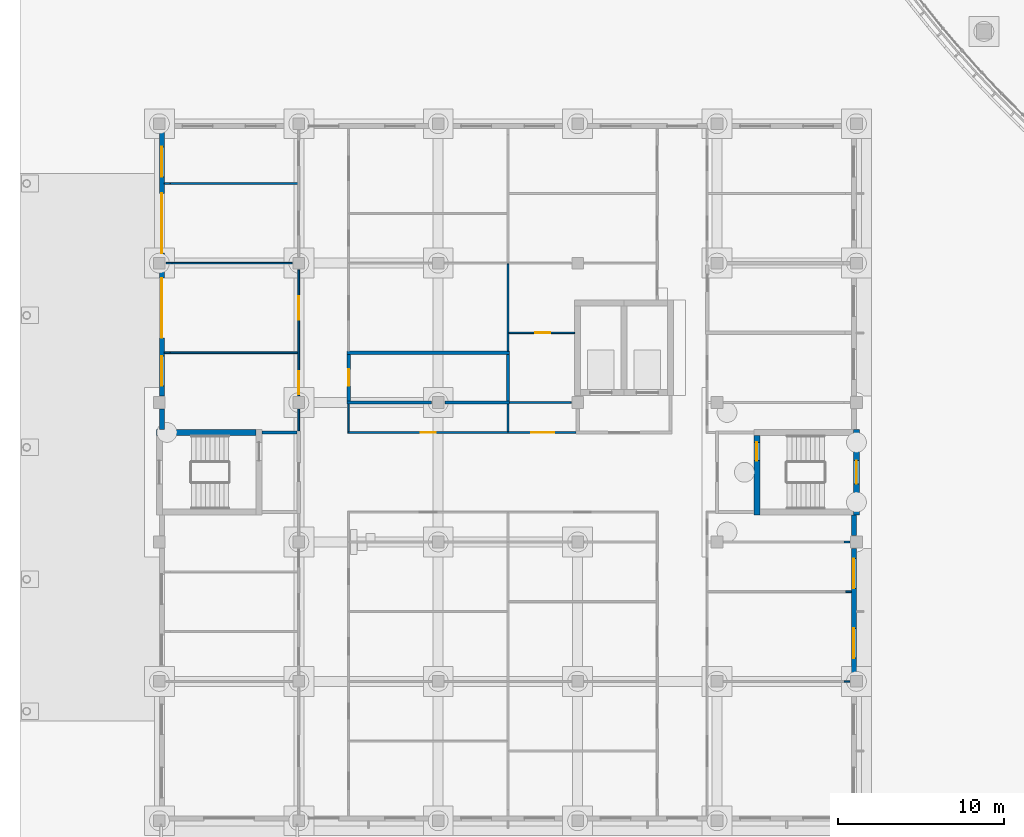
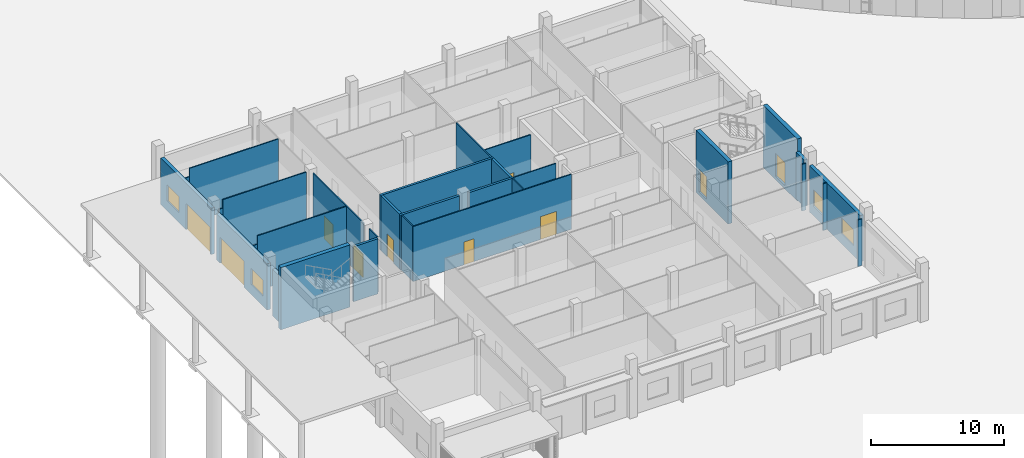
# One storey, part 56 of 146: 31 walls, 10 doors, 4 windows, 14 openings.
"""IFC4 building model written with IfcOpenShell, lengths in metres."""

from ifc_helpers import new_model, si_unit, direction, frame, frame_2d, origin, place, context, subcontext, project, spatial, rectangle, extrude, material, layer, layer_set, type_object, element, fill, save


model = new_model("IFC4")

# Units and contexts
model_context = context("Model", 3, precision=1e-05, world=origin(), true_north=direction((0.0, 1.0)))
body_context = subcontext(model_context, "Body", "Model", "MODEL_VIEW")
ifc_project = project(units=[si_unit("LENGTHUNIT", "METRE"), si_unit("AREAUNIT", "SQUARE_METRE"), si_unit("VOLUMEUNIT", "CUBIC_METRE"), si_unit("PLANEANGLEUNIT", "RADIAN"), si_unit("MASSUNIT", "GRAM", prefix="KILO")], contexts=[model_context])

# Site, building, storey
site_placement = place(None, origin())
site = spatial("IfcSite", under=ifc_project, at=site_placement, CompositionType="ELEMENT")
building_placement = place(site_placement, origin())
building = spatial("IfcBuilding", under=site, at=building_placement, Name="Bougainvillea Quay General Hospital", CompositionType="ELEMENT")
storey_placement = place(building_placement, origin())
storey = spatial("IfcBuildingStorey", under=building, at=storey_placement, Name="L00", CompositionType="ELEMENT", Elevation=0.0)

# Wall, openings, windows
ifc_material_1 = material(Name="Pale stone rainscreen cladding on insulated masonry backing, pale stone", Category="masonry")
ifc_layer_1 = layer(ifc_material_1, 0.300048828125)
ifc_layer_set_1 = layer_set([ifc_layer_1], Name="Pale stone rainscreen cladding on insulated masonry backing, pale stone")
wall_type_1 = type_object("IfcWallType", Name="External wall pale stone rainscreen 300", PredefinedType="STANDARD", material=ifc_layer_set_1)
wall_1_placement = place(storey_placement, frame((50.25, 42.39990234375, 0.0), z_axis=(0.0, 0.0, 1.0), x_axis=(0.0, 1.0, 0.0)))
wall_1 = element("IfcWall", 1, at=wall_1_placement, inside=storey, type_object=wall_type_1, Name="External wall wall/V2/L00/p0/00b", PredefinedType="STANDARD", context=body_context, shape_type="SweptSolid", body=[
    extrude(rectangle(XDim=7.60009765625, YDim=0.300048828125, at=frame_2d((3.800048828125, 0.0))), origin(), (0.0, 0.0, 1.0), 4.25),
])
opening_1_placement = place(wall_1_placement, frame((1.0, 0.0, 0.89990234375)))
opening_1 = element("IfcOpeningElement", 2, at=opening_1_placement, cuts=wall_1, Name="Opening W1", PredefinedType="OPENING", context=body_context, shape_type="SweptSolid", body=[
    extrude(rectangle(XDim=1.800048828125, YDim=1.5, at=frame_2d((0.89990234375, 0.75))), frame((0.0, 0.159912109375, 0.0), z_axis=(0.0, -1.0, 0.0), x_axis=(1.0, 0.0, 0.0)), (0.0, 0.0, 1.0), 0.320068359375),
])
opening_2_placement = place(wall_1_placement, frame((5.199951171875, 0.0, 0.89990234375)))
opening_2 = element("IfcOpeningElement", 3, at=opening_2_placement, cuts=wall_1, Name="Opening W1", PredefinedType="OPENING", context=body_context, shape_type="SweptSolid", body=[
    extrude(rectangle(XDim=1.800048828125, YDim=1.5, at=frame_2d((0.89990234375, 0.75))), frame((0.0, 0.159912109375, 0.0), z_axis=(0.0, -1.0, 0.0), x_axis=(1.0, 0.0, 0.0)), (0.0, 0.0, 1.0), 0.320068359375),
])
ifc_material_2 = material(Name="Aluminium window frame with low-e double glazed unit", Category="aluminium")
window_type = type_object("IfcWindowType", Name="Window W1 1800x1500", PartitioningType="DOUBLE_PANEL_VERTICAL", PredefinedType="WINDOW", material=ifc_material_2)
window_1_placement = place(opening_1_placement, origin())
window_1 = element("IfcWindow", 4, at=window_1_placement, inside=storey, type_object=window_type, Name="Window W1 1", OverallHeight=1.5, OverallWidth=1.800048828125, PartitioningType="SINGLE_PANEL", PredefinedType="WINDOW", context=body_context, shape_type="SweptSolid", body=[
    extrude(rectangle(XDim=1.800048828125, YDim=1.5, at=frame_2d((0.89990234375, 0.75))), frame((0.0, 0.030029296875, 0.0), z_axis=(0.0, -1.0, 0.0), x_axis=(1.0, 0.0, 0.0)), (0.0, 0.0, 1.0), 0.06005859375),
])
fill(opening_1, window_1)
window_2_placement = place(opening_2_placement, origin())
window_2 = element("IfcWindow", 5, at=window_2_placement, inside=storey, type_object=window_type, Name="Window W1 2", OverallHeight=1.5, OverallWidth=1.800048828125, PartitioningType="SINGLE_PANEL", PredefinedType="WINDOW", context=body_context, shape_type="SweptSolid", body=[
    extrude(rectangle(XDim=1.800048828125, YDim=1.5, at=frame_2d((0.89990234375, 0.75))), frame((0.0, 0.030029296875, 0.0), z_axis=(0.0, -1.0, 0.0), x_axis=(1.0, 0.0, 0.0)), (0.0, 0.0, 1.0), 0.06005859375),
])
fill(opening_2, window_2)

# Wall, openings, door, window
wall_2_placement = place(storey_placement, frame((8.550048828125, 75.199951171875, 0.0), z_axis=(0.0, 0.0, 1.0), x_axis=(0.0, -1.0, 0.0)))
wall_2 = element("IfcWall", 6, at=wall_2_placement, inside=storey, type_object=wall_type_1, Name="External wall wall/V2/L00/p0/02a", PredefinedType="STANDARD", context=body_context, shape_type="SweptSolid", body=[
    extrude(rectangle(XDim=7.599853515625, YDim=0.300048828125, at=frame_2d((3.7998046875, 0.0))), origin(), (0.0, 0.0, 1.0), 4.25),
])
opening_3_placement = place(wall_2_placement, frame((3.800048828125, 0.0, 0.0)))
opening_3 = element("IfcOpeningElement", 7, at=opening_3_placement, cuts=wall_2, Name="Opening L00.318", PredefinedType="OPENING", context=body_context, shape_type="SweptSolid", body=[
    extrude(rectangle(XDim=3.60009765625, YDim=2.39990234375, at=frame_2d((1.800048828125, 1.199951171875))), frame((0.0, 0.159912109375, 0.0), z_axis=(0.0, -1.0, 0.0), x_axis=(1.0, 0.0, 0.0)), (0.0, 0.0, 1.0), 0.320068359375),
])
opening_4_placement = place(wall_2_placement, frame((1.0, 0.0, 0.89990234375)))
opening_4 = element("IfcOpeningElement", 8, at=opening_4_placement, cuts=wall_2, Name="Opening W1", PredefinedType="OPENING", context=body_context, shape_type="SweptSolid", body=[
    extrude(rectangle(XDim=1.800048828125, YDim=1.5, at=frame_2d((0.89990234375, 0.75))), frame((0.0, 0.159912109375, 0.0), z_axis=(0.0, -1.0, 0.0), x_axis=(1.0, 0.0, 0.0)), (0.0, 0.0, 1.0), 0.320068359375),
])
ifc_material_3 = material(Name="Aluminium and toughened glass sliding door set, anodised", Category="aluminium")
door_type_1 = type_object("IfcDoorType", Name="Ambulance bay door 3600x2400", OperationType="SLIDING_TO_LEFT", PredefinedType="DOOR", material=ifc_material_3)
door_1_placement = place(opening_3_placement, frame((3.60009765625, 0.0, 0.0), z_axis=(0.0, 0.0, 1.0), x_axis=(-1.0, 0.0, 0.0)))
door_1 = element("IfcDoor", 9, at=door_1_placement, inside=storey, type_object=door_type_1, Name="Ambulance bay door 2", OperationType="SINGLE_SWING_LEFT", OverallHeight=2.39990234375, OverallWidth=3.60009765625, PredefinedType="DOOR", context=body_context, shape_type="SweptSolid", body=[
    extrude(rectangle(XDim=3.60009765625, YDim=2.39990234375, at=frame_2d((1.800048828125, 1.199951171875))), frame((0.0, 0.02490234375, 0.0), z_axis=(0.0, -1.0, 0.0), x_axis=(1.0, 0.0, 0.0)), (0.0, 0.0, 1.0), 0.050048828125),
])
fill(opening_3, door_1)
window_3_placement = place(opening_4_placement, origin())
window_3 = element("IfcWindow", 10, at=window_3_placement, inside=storey, type_object=window_type, Name="Window W1 1", OverallHeight=1.5, OverallWidth=1.800048828125, PartitioningType="SINGLE_PANEL", PredefinedType="WINDOW", context=body_context, shape_type="SweptSolid", body=[
    extrude(rectangle(XDim=1.800048828125, YDim=1.5, at=frame_2d((0.89990234375, 0.75))), frame((0.0, 0.030029296875, 0.0), z_axis=(0.0, -1.0, 0.0), x_axis=(1.0, 0.0, 0.0)), (0.0, 0.0, 1.0), 0.06005859375),
])
fill(opening_4, window_3)

wall_3_placement = place(storey_placement, frame((8.550048828125, 66.800048828125, 0.0), z_axis=(0.0, 0.0, 1.0), x_axis=(0.0, -1.0, 0.0)))
wall_3 = element("IfcWall", 11, at=wall_3_placement, inside=storey, type_object=wall_type_1, Name="External wall wall/V2/L00/p0/02b", PredefinedType="STANDARD", context=body_context, shape_type="SweptSolid", body=[
    extrude(rectangle(XDim=7.60009765625, YDim=0.300048828125, at=frame_2d((3.800048828125, 0.0))), origin(), (0.0, 0.0, 1.0), 4.25),
])
opening_5_placement = place(wall_3_placement, frame((0.5, 0.0, 0.0)))
opening_5 = element("IfcOpeningElement", 12, at=opening_5_placement, cuts=wall_3, Name="Opening L00.317", PredefinedType="OPENING", context=body_context, shape_type="SweptSolid", body=[
    extrude(rectangle(XDim=3.60009765625, YDim=2.39990234375, at=frame_2d((1.800048828125, 1.199951171875))), frame((0.0, 0.159912109375, 0.0), z_axis=(0.0, -1.0, 0.0), x_axis=(1.0, 0.0, 0.0)), (0.0, 0.0, 1.0), 0.320068359375),
])
opening_6_placement = place(wall_3_placement, frame((5.199951171875, 0.0, 0.89990234375)))
opening_6 = element("IfcOpeningElement", 13, at=opening_6_placement, cuts=wall_3, Name="Opening W1", PredefinedType="OPENING", context=body_context, shape_type="SweptSolid", body=[
    extrude(rectangle(XDim=1.800048828125, YDim=1.5, at=frame_2d((0.89990234375, 0.75))), frame((0.0, 0.159912109375, 0.0), z_axis=(0.0, -1.0, 0.0), x_axis=(1.0, 0.0, 0.0)), (0.0, 0.0, 1.0), 0.320068359375),
])
door_2_placement = place(opening_5_placement, frame((3.60009765625, 0.0, 0.0), z_axis=(0.0, 0.0, 1.0), x_axis=(-1.0, 0.0, 0.0)))
door_2 = element("IfcDoor", 14, at=door_2_placement, inside=storey, type_object=door_type_1, Name="Ambulance bay door 1", OperationType="SINGLE_SWING_LEFT", OverallHeight=2.39990234375, OverallWidth=3.60009765625, PredefinedType="DOOR", context=body_context, shape_type="SweptSolid", body=[
    extrude(rectangle(XDim=3.60009765625, YDim=2.39990234375, at=frame_2d((1.800048828125, 1.199951171875))), frame((0.0, 0.02490234375, 0.0), z_axis=(0.0, -1.0, 0.0), x_axis=(1.0, 0.0, 0.0)), (0.0, 0.0, 1.0), 0.050048828125),
])
fill(opening_5, door_2)
window_4_placement = place(opening_6_placement, origin())
window_4 = element("IfcWindow", 15, at=window_4_placement, inside=storey, type_object=window_type, Name="Window W1 2", OverallHeight=1.5, OverallWidth=1.800048828125, PartitioningType="SINGLE_PANEL", PredefinedType="WINDOW", context=body_context, shape_type="SweptSolid", body=[
    extrude(rectangle(XDim=1.800048828125, YDim=1.5, at=frame_2d((0.89990234375, 0.75))), frame((0.0, 0.030029296875, 0.0), z_axis=(0.0, -1.0, 0.0), x_axis=(1.0, 0.0, 0.0)), (0.0, 0.0, 1.0), 0.06005859375),
])
fill(opening_6, window_4)

# Walls
ifc_material_4 = material(Name="Terracotta rainscreen cladding on insulated masonry backing, terracotta", Category="masonry")
ifc_layer_2 = layer(ifc_material_4, 0.300048828125)
ifc_layer_set_2 = layer_set([ifc_layer_2], Name="Terracotta rainscreen cladding on insulated masonry backing, terracotta")
wall_type_2 = type_object("IfcWallType", Name="External wall terracotta rainscreen 300", PredefinedType="STANDARD", material=ifc_layer_set_2)
for number, where, z_axis, x_axis, name in (
    (16, (50.25, 50.800048828125, 0.0), (0.0, 0.0, 1.0), (0.0, 1.0, 0.0), "External wall wall/V2/L00/p0/00c"),
    (17, (8.550048828125, 58.39990234375, 0.0), (0.0, 0.0, 1.0), (0.0, -1.0, 0.0), "External wall wall/V2/L00/p0/02c"),
):
    element("IfcWall", number, at=place(storey_placement, frame(where, z_axis=z_axis, x_axis=x_axis)), inside=storey, type_object=wall_type_2, Name=name, PredefinedType="STANDARD", context=body_context, shape_type="SweptSolid", body=[
        extrude(rectangle(XDim=1.224853515625, YDim=0.300048828125, at=frame_2d((0.6123046875, 0.0))), origin(), (0.0, 0.0, 1.0), 4.25),
    ])

# Wall, openings, doors
ifc_material_5 = material(Name="Gypsum board partition on steel studs", Category="steel")
ifc_layer_3 = layer(ifc_material_5, 0.10009765625)
ifc_layer_set_3 = layer_set([ifc_layer_3], Name="Gypsum board partition on steel studs")
wall_type_3 = type_object("IfcWallType", Name="Partition 100 Gypsum board partition", PredefinedType="PARTITIONING", material=ifc_layer_set_3)
wall_4_placement = place(storey_placement, frame((16.800048828125, 66.800048828125, 0.0), z_axis=(0.0, 0.0, 1.0), x_axis=(0.0, -1.0, 0.0)))
wall_4 = element("IfcWall", 18, at=wall_4_placement, inside=storey, type_object=wall_type_3, Name="Partition 100 mm", PredefinedType="PARTITIONING", context=body_context, shape_type="SweptSolid", body=[
    extrude(rectangle(XDim=7.60009765625, YDim=0.10009765625, at=frame_2d((3.800048828125, 0.0))), origin(), (0.0, 0.0, 1.0), 5.050048828125),
])
opening_7_placement = place(wall_4_placement, frame((6.10009765625, 0.0, 0.0)))
opening_7 = element("IfcOpeningElement", 19, at=opening_7_placement, cuts=wall_4, Name="Opening L00.078", PredefinedType="OPENING", context=body_context, shape_type="SweptSolid", body=[
    extrude(rectangle(XDim=1.39990234375, YDim=2.10009765625, at=frame_2d((0.699951171875, 1.050048828125))), frame((0.0, 0.06005859375, 0.0), z_axis=(0.0, -1.0, 0.0), x_axis=(1.0, 0.0, 0.0)), (0.0, 0.0, 1.0), 0.1201171875),
])
opening_8_placement = place(wall_4_placement, frame((1.60009765625, 0.0, 0.0)))
opening_8 = element("IfcOpeningElement", 20, at=opening_8_placement, cuts=wall_4, Name="Opening L00.079", PredefinedType="OPENING", context=body_context, shape_type="SweptSolid", body=[
    extrude(rectangle(XDim=1.39990234375, YDim=2.10009765625, at=frame_2d((0.699951171875, 1.050048828125))), frame((0.0, 0.06005859375, 0.0), z_axis=(0.0, -1.0, 0.0), x_axis=(1.0, 0.0, 0.0)), (0.0, 0.0, 1.0), 0.1201171875),
])
ifc_material_6 = material(Name="Solid-core timber door leaves in steel frame", Category="steel")
door_type_2 = type_object("IfcDoorType", Name="Bed door pair 1400x2100", OperationType="DOUBLE_DOOR_SINGLE_SWING", PredefinedType="DOOR", material=ifc_material_6)
door_3_placement = place(opening_7_placement, frame((1.39990234375, 0.0, 0.0), z_axis=(0.0, 0.0, 1.0), x_axis=(-1.0, 0.0, 0.0)))
door_3 = element("IfcDoor", 21, at=door_3_placement, inside=storey, type_object=door_type_2, Name="DT09 L00.078", OperationType="DOUBLE_DOOR_SINGLE_SWING", OverallHeight=2.10009765625, OverallWidth=1.39990234375, PredefinedType="DOOR", context=body_context, shape_type="SweptSolid", body=[
    extrude(rectangle(XDim=1.39990234375, YDim=2.10009765625, at=frame_2d((0.699951171875, 1.050048828125))), frame((0.0, 0.02490234375, 0.0), z_axis=(0.0, -1.0, 0.0), x_axis=(1.0, 0.0, 0.0)), (0.0, 0.0, 1.0), 0.050048828125),
])
fill(opening_7, door_3)
door_4_placement = place(opening_8_placement, frame((1.39990234375, 0.0, 0.0), z_axis=(0.0, 0.0, 1.0), x_axis=(-1.0, 0.0, 0.0)))
door_4 = element("IfcDoor", 22, at=door_4_placement, inside=storey, type_object=door_type_2, Name="DT09 L00.079", OperationType="DOUBLE_DOOR_SINGLE_SWING", OverallHeight=2.10009765625, OverallWidth=1.39990234375, PredefinedType="DOOR", context=body_context, shape_type="SweptSolid", body=[
    extrude(rectangle(XDim=1.39990234375, YDim=2.10009765625, at=frame_2d((0.699951171875, 1.050048828125))), frame((0.0, 0.02490234375, 0.0), z_axis=(0.0, -1.0, 0.0), x_axis=(1.0, 0.0, 0.0)), (0.0, 0.0, 1.0), 0.050048828125),
])
fill(opening_8, door_4)

# Wall
wall_5_placement = place(storey_placement, frame((16.800048828125, 58.39990234375, 0.0), z_axis=(0.0, 0.0, 1.0), x_axis=(0.0, -1.0, 0.0)))
element("IfcWall", 23, at=wall_5_placement, inside=storey, type_object=wall_type_3, Name="Partition 100 mm", PredefinedType="PARTITIONING", context=body_context, shape_type="SweptSolid", body=[
    extrude(rectangle(XDim=1.2998046875, YDim=0.10009765625, at=frame_2d((0.64990234375, 0.0))), origin(), (0.0, 0.0, 1.0), 5.050048828125),
])

# Wall, openings, doors
wall_6_placement = place(storey_placement, frame((19.75, 57.0, 0.0), z_axis=(0.0, 0.0, 1.0), x_axis=(1.0, 0.0, 0.0)))
wall_6 = element("IfcWall", 24, at=wall_6_placement, inside=storey, type_object=wall_type_3, Name="Partition 100 mm", PredefinedType="PARTITIONING", context=body_context, shape_type="SweptSolid", body=[
    extrude(rectangle(XDim=13.75, YDim=0.10009765625, at=frame_2d((6.875, 0.0))), origin(), (0.0, 0.0, 1.0), 5.050048828125),
])
opening_9_placement = place(wall_6_placement, frame((4.39990234375, 0.0, 0.0)))
opening_9 = element("IfcOpeningElement", 25, at=opening_9_placement, cuts=wall_6, Name="Opening L00.082", PredefinedType="OPENING", context=body_context, shape_type="SweptSolid", body=[
    extrude(rectangle(XDim=0.89990234375, YDim=2.10009765625, at=frame_2d((0.449951171875, 1.050048828125))), frame((0.0, 0.06005859375, 0.0), z_axis=(0.0, -1.0, 0.0), x_axis=(1.0, 0.0, 0.0)), (0.0, 0.0, 1.0), 0.1201171875),
])
opening_10_placement = place(wall_6_placement, frame((11.050048828125, 0.0, 0.0)))
opening_10 = element("IfcOpeningElement", 26, at=opening_10_placement, cuts=wall_6, Name="Opening L00.087", PredefinedType="OPENING", context=body_context, shape_type="SweptSolid", body=[
    extrude(rectangle(XDim=1.39990234375, YDim=2.10009765625, at=frame_2d((0.699951171875, 1.050048828125))), frame((0.0, 0.06005859375, 0.0), z_axis=(0.0, -1.0, 0.0), x_axis=(1.0, 0.0, 0.0)), (0.0, 0.0, 1.0), 0.1201171875),
])
door_5_placement = place(opening_10_placement, origin())
door_5 = element("IfcDoor", 27, at=door_5_placement, inside=storey, type_object=door_type_2, Name="DT09 L00.087", OperationType="DOUBLE_DOOR_SINGLE_SWING", OverallHeight=2.10009765625, OverallWidth=1.39990234375, PredefinedType="DOOR", context=body_context, shape_type="SweptSolid", body=[
    extrude(rectangle(XDim=1.39990234375, YDim=2.10009765625, at=frame_2d((0.699951171875, 1.050048828125))), frame((0.0, 0.02490234375, 0.0), z_axis=(0.0, -1.0, 0.0), x_axis=(1.0, 0.0, 0.0)), (0.0, 0.0, 1.0), 0.050048828125),
])
fill(opening_10, door_5)
ifc_material_7 = material(Name="Solid-core timber door leaf in steel frame", Category="steel")
door_type_3 = type_object("IfcDoorType", Name="Single leaf door 900x2100", OperationType="NOTDEFINED", PredefinedType="DOOR", material=ifc_material_7)
door_6_placement = place(opening_9_placement, origin())
door_6 = element("IfcDoor", 28, at=door_6_placement, inside=storey, type_object=door_type_3, Name="DT07 L00.082", OperationType="SINGLE_SWING_LEFT", OverallHeight=2.10009765625, OverallWidth=0.89990234375, PredefinedType="DOOR", context=body_context, shape_type="SweptSolid", body=[
    extrude(rectangle(XDim=0.89990234375, YDim=2.10009765625, at=frame_2d((0.449951171875, 1.050048828125))), frame((0.0, 0.02490234375, 0.0), z_axis=(0.0, -1.0, 0.0), x_axis=(1.0, 0.0, 0.0)), (0.0, 0.0, 1.0), 0.050048828125),
])
fill(opening_9, door_6)

# Walls
wall_7_placement = place(storey_placement, frame((29.39990234375, 67.14990234375, 0.0), z_axis=(0.0, 0.0, 1.0), x_axis=(0.0, -1.0, 0.0)))
element("IfcWall", 29, at=wall_7_placement, inside=storey, type_object=wall_type_3, Name="Partition 100 mm", PredefinedType="PARTITIONING", context=body_context, shape_type="SweptSolid", body=[
    extrude(rectangle(XDim=5.25, YDim=0.10009765625, at=frame_2d((2.625, 0.0))), origin(), (0.0, 0.0, 1.0), 5.050048828125),
])
for number, where, z_axis, x_axis, name in (
    (30, (49.64990234375, 42.0, 0.0), (0.0, 0.0, 1.0), (1.0, 0.0, 0.0), "Partition 100 mm"),
    (31, (49.75, 47.39990234375, 0.0), (0.0, 0.0, 1.0), (1.0, 0.0, 0.0), "Partition 100 mm"),
    (32, (49.64990234375, 50.39990234375, 0.0), (0.0, 0.0, 1.0), (1.0, 0.0, 0.0), "Partition 100 mm"),
    (33, (8.699951171875, 61.800048828125, 0.0), (0.0, 0.0, 1.0), (1.0, 0.0, 0.0), "Partition 100 mm"),
):
    element("IfcWall", number, at=place(storey_placement, frame(where, z_axis=z_axis, x_axis=x_axis)), inside=storey, type_object=wall_type_3, Name=name, PredefinedType="PARTITIONING", context=body_context, shape_type="SweptSolid", body=[
        extrude(rectangle(XDim=0.35009765625, YDim=0.10009765625, at=frame_2d((0.175048828125, 0.0))), origin(), (0.0, 0.0, 1.0), 4.280029296875),
    ])
wall_8_placement = place(storey_placement, frame((9.050048828125, 61.800048828125, 0.0), z_axis=(0.0, 0.0, 1.0), x_axis=(1.0, 0.0, 0.0)))
element("IfcWall", 34, at=wall_8_placement, inside=storey, type_object=wall_type_3, Name="Partition 100 mm", PredefinedType="PARTITIONING", context=body_context, shape_type="SweptSolid", body=[
    extrude(rectangle(XDim=7.699951171875, YDim=0.10009765625, at=frame_2d((3.85009765625, 0.0))), origin(), (0.0, 0.0, 1.0), 5.050048828125),
])
wall_9_placement = place(storey_placement, frame((8.800048828125, 67.199951171875, 0.0), z_axis=(0.0, 0.0, 1.0), x_axis=(1.0, 0.0, 0.0)))
element("IfcWall", 35, at=wall_9_placement, inside=storey, type_object=wall_type_3, Name="Partition 100 mm", PredefinedType="PARTITIONING", context=body_context, shape_type="SweptSolid", body=[
    extrude(rectangle(XDim=0.349853515625, YDim=0.10009765625, at=frame_2d((0.1748046875, 0.0))), origin(), (0.0, 0.0, 1.0), 4.280029296875),
])
wall_10_placement = place(storey_placement, frame((9.14990234375, 67.199951171875, 0.0), z_axis=(0.0, 0.0, 1.0), x_axis=(1.0, 0.0, 0.0)))
element("IfcWall", 36, at=wall_10_placement, inside=storey, type_object=wall_type_3, Name="Partition 100 mm", PredefinedType="PARTITIONING", context=body_context, shape_type="SweptSolid", body=[
    extrude(rectangle(XDim=7.25, YDim=0.10009765625, at=frame_2d((3.625, 0.0))), origin(), (0.0, 0.0, 1.0), 5.050048828125),
])
wall_11_placement = place(storey_placement, frame((8.699951171875, 72.0, 0.0), z_axis=(0.0, 0.0, 1.0), x_axis=(1.0, 0.0, 0.0)))
element("IfcWall", 37, at=wall_11_placement, inside=storey, type_object=wall_type_3, Name="Partition 100 mm", PredefinedType="PARTITIONING", context=body_context, shape_type="SweptSolid", body=[
    extrude(rectangle(XDim=0.35009765625, YDim=0.10009765625, at=frame_2d((0.175048828125, 0.0))), origin(), (0.0, 0.0, 1.0), 4.280029296875),
])
wall_12_placement = place(storey_placement, frame((9.050048828125, 72.0, 0.0), z_axis=(0.0, 0.0, 1.0), x_axis=(1.0, 0.0, 0.0)))
element("IfcWall", 38, at=wall_12_placement, inside=storey, type_object=wall_type_3, Name="Partition 100 mm", PredefinedType="PARTITIONING", context=body_context, shape_type="SweptSolid", body=[
    extrude(rectangle(XDim=7.699951171875, YDim=0.10009765625, at=frame_2d((3.85009765625, 0.0))), origin(), (0.0, 0.0, 1.0), 5.050048828125),
])
wall_13_placement = place(storey_placement, frame((29.5, 58.800048828125, 0.0), z_axis=(0.0, 0.0, 1.0), x_axis=(1.0, 0.0, 0.0)))
element("IfcWall", 39, at=wall_13_placement, inside=storey, type_object=wall_type_3, Name="Partition 100 mm", PredefinedType="PARTITIONING", context=body_context, shape_type="SweptSolid", body=[
    extrude(rectangle(XDim=3.699951171875, YDim=0.10009765625, at=frame_2d((1.85009765625, 0.0))), origin(), (0.0, 0.0, 1.0), 5.050048828125),
])

# Wall, opening, door
wall_14_placement = place(storey_placement, frame((29.449951171875, 63.0, 0.0), z_axis=(0.0, 0.0, 1.0), x_axis=(1.0, 0.0, 0.0)))
wall_14 = element("IfcWall", 40, at=wall_14_placement, inside=storey, type_object=wall_type_3, Name="Partition 100 mm", PredefinedType="PARTITIONING", context=body_context, shape_type="SweptSolid", body=[
    extrude(rectangle(XDim=3.97509765625, YDim=0.10009765625, at=frame_2d((1.987548828125, 0.0))), origin(), (0.0, 0.0, 1.0), 5.050048828125),
])
opening_11_placement = place(wall_14_placement, frame((1.60009765625, 0.0, 0.0)))
opening_11 = element("IfcOpeningElement", 41, at=opening_11_placement, cuts=wall_14, Name="Opening L00.212", PredefinedType="OPENING", context=body_context, shape_type="SweptSolid", body=[
    extrude(rectangle(XDim=0.89990234375, YDim=2.10009765625, at=frame_2d((0.449951171875, 1.050048828125))), frame((0.0, 0.06005859375, 0.0), z_axis=(0.0, -1.0, 0.0), x_axis=(1.0, 0.0, 0.0)), (0.0, 0.0, 1.0), 0.1201171875),
])
door_7_placement = place(opening_11_placement, frame((0.89990234375, 0.0, 0.0), z_axis=(0.0, 0.0, 1.0), x_axis=(-1.0, 0.0, 0.0)))
door_7 = element("IfcDoor", 42, at=door_7_placement, inside=storey, type_object=door_type_3, Name="DT07 L00.212", OperationType="SINGLE_SWING_LEFT", OverallHeight=2.10009765625, OverallWidth=0.89990234375, PredefinedType="DOOR", context=body_context, shape_type="SweptSolid", body=[
    extrude(rectangle(XDim=0.89990234375, YDim=2.10009765625, at=frame_2d((0.449951171875, 1.050048828125))), frame((0.0, 0.02490234375, 0.0), z_axis=(0.0, -1.0, 0.0), x_axis=(1.0, 0.0, 0.0)), (0.0, 0.0, 1.0), 0.050048828125),
])
fill(opening_11, door_7)

# Walls
for number, where, z_axis, x_axis, name in (
    (43, (19.800048828125, 57.050048828125, 0.0), (0.0, 0.0, 1.0), (0.0, 1.0, 0.0), "Partition 100 mm"),
    (44, (29.39990234375, 57.050048828125, 0.0), (0.0, 0.0, 1.0), (0.0, 1.0, 0.0), "Partition 100 mm"),
):
    element("IfcWall", number, at=place(storey_placement, frame(where, z_axis=z_axis, x_axis=x_axis)), inside=storey, type_object=wall_type_3, Name=name, PredefinedType="PARTITIONING", context=body_context, shape_type="SweptSolid", body=[
        extrude(rectangle(XDim=1.64990234375, YDim=0.10009765625, at=frame_2d((0.824951171875, 0.0))), origin(), (0.0, 0.0, 1.0), 5.050048828125),
    ])
ifc_material_8 = material(Name="Fire-rated autoclaved aerated block wall, plastered")
ifc_layer_4 = layer(ifc_material_8, 0.199951171875)
ifc_layer_set_4 = layer_set([ifc_layer_4], Name="Fire-rated autoclaved aerated block wall, plastered")
wall_type_4 = type_object("IfcWallType", Name="Partition 200 Fire-rated autoclaved aerated block wall EI 120", PredefinedType="SOLIDWALL", material=ifc_layer_set_4)
wall_15_placement = place(storey_placement, frame((14.574951171875, 57.0, 0.0), z_axis=(0.0, 0.0, 1.0), x_axis=(1.0, 0.0, 0.0)))
element("IfcWall", 45, at=wall_15_placement, inside=storey, type_object=wall_type_4, Name="Partition 200 mm EI 120", PredefinedType="SOLIDWALL", context=body_context, shape_type="SweptSolid", body=[
    extrude(rectangle(XDim=2.125, YDim=0.199951171875, at=frame_2d((1.0625, 0.0))), origin(), (0.0, 0.0, 1.0), 5.050048828125),
])
ifc_layer_5 = layer(ifc_material_8, 0.199951171875)
ifc_layer_set_5 = layer_set([ifc_layer_5], Name="Fire-rated autoclaved aerated block wall, plastered")
wall_type_5 = type_object("IfcWallType", Name="Partition 200 Fire-rated autoclaved aerated block wall EI 60", PredefinedType="SOLIDWALL", material=ifc_layer_set_5)
wall_16_placement = place(storey_placement, frame((19.699951171875, 58.800048828125, 0.0), z_axis=(0.0, 0.0, 1.0), x_axis=(1.0, 0.0, 0.0)))
element("IfcWall", 46, at=wall_16_placement, inside=storey, type_object=wall_type_5, Name="Partition 200 mm EI 60", PredefinedType="SOLIDWALL", context=body_context, shape_type="SweptSolid", body=[
    extrude(rectangle(XDim=5.10009765625, YDim=0.199951171875, at=frame_2d((2.550048828125, 0.0))), origin(), (0.0, 0.0, 1.0), 5.050048828125),
])
wall_17_placement = place(storey_placement, frame((25.60009765625, 58.800048828125, 0.0), z_axis=(0.0, 0.0, 1.0), x_axis=(1.0, 0.0, 0.0)))
element("IfcWall", 47, at=wall_17_placement, inside=storey, type_object=wall_type_5, Name="Partition 200 mm EI 60", PredefinedType="SOLIDWALL", context=body_context, shape_type="SweptSolid", body=[
    extrude(rectangle(XDim=3.89990234375, YDim=0.199951171875, at=frame_2d((1.949951171875, 0.0))), origin(), (0.0, 0.0, 1.0), 5.050048828125),
])
wall_18_placement = place(storey_placement, frame((19.699951171875, 61.800048828125, 0.0), z_axis=(0.0, 0.0, 1.0), x_axis=(1.0, 0.0, 0.0)))
element("IfcWall", 48, at=wall_18_placement, inside=storey, type_object=wall_type_5, Name="Partition 200 mm EI 60", PredefinedType="SOLIDWALL", context=body_context, shape_type="SweptSolid", body=[
    extrude(rectangle(XDim=9.800048828125, YDim=0.199951171875, at=frame_2d((4.89990234375, 0.0))), origin(), (0.0, 0.0, 1.0), 5.050048828125),
])

# Wall, opening, door
wall_19_placement = place(storey_placement, frame((19.800048828125, 58.89990234375, 0.0), z_axis=(0.0, 0.0, 1.0), x_axis=(0.0, 1.0, 0.0)))
wall_19 = element("IfcWall", 49, at=wall_19_placement, inside=storey, type_object=wall_type_5, Name="Partition 200 mm EI 60", PredefinedType="SOLIDWALL", context=body_context, shape_type="SweptSolid", body=[
    extrude(rectangle(XDim=2.800048828125, YDim=0.199951171875, at=frame_2d((1.39990234375, 0.0))), origin(), (0.0, 0.0, 1.0), 5.050048828125),
])
opening_12_placement = place(wall_19_placement, frame((0.89990234375, 0.0, 0.0)))
opening_12 = element("IfcOpeningElement", 50, at=opening_12_placement, cuts=wall_19, Name="Opening L00.083", PredefinedType="OPENING", context=body_context, shape_type="SweptSolid", body=[
    extrude(rectangle(XDim=1.0, YDim=2.10009765625, at=frame_2d((0.5, 1.050048828125))), frame((0.0, 0.10986328125, 0.0), z_axis=(0.0, -1.0, 0.0), x_axis=(1.0, 0.0, 0.0)), (0.0, 0.0, 1.0), 0.219970703125),
])
ifc_material_9 = material(Name="Steel fire door leaf in steel frame", Category="steel")
door_type_4 = type_object("IfcDoorType", Name="Steel single leaf door 1000x2100 FD60", OperationType="NOTDEFINED", PredefinedType="DOOR", material=ifc_material_9)
door_8_placement = place(opening_12_placement, frame((1.0, 0.0, 0.0), z_axis=(0.0, 0.0, 1.0), x_axis=(-1.0, 0.0, 0.0)))
door_8 = element("IfcDoor", 51, at=door_8_placement, inside=storey, type_object=door_type_4, Name="DT10 L00.083", OperationType="SINGLE_SWING_RIGHT", OverallHeight=2.10009765625, OverallWidth=1.0, PredefinedType="DOOR", context=body_context, shape_type="SweptSolid", body=[
    extrude(rectangle(XDim=1.0, YDim=2.10009765625, at=frame_2d((0.5, 1.050048828125))), frame((0.0, 0.02490234375, 0.0), z_axis=(0.0, -1.0, 0.0), x_axis=(1.0, 0.0, 0.0)), (0.0, 0.0, 1.0), 0.050048828125),
])
fill(opening_12, door_8)

# Walls
wall_20_placement = place(storey_placement, frame((29.39990234375, 58.89990234375, 0.0), z_axis=(0.0, 0.0, 1.0), x_axis=(0.0, 1.0, 0.0)))
element("IfcWall", 52, at=wall_20_placement, inside=storey, type_object=wall_type_5, Name="Partition 200 mm EI 60", PredefinedType="SOLIDWALL", context=body_context, shape_type="SweptSolid", body=[
    extrude(rectangle(XDim=2.800048828125, YDim=0.199951171875, at=frame_2d((1.39990234375, 0.0))), origin(), (0.0, 0.0, 1.0), 5.050048828125),
])
ifc_material_10 = material(Name="Concrete C40", Category="concrete")
ifc_layer_6 = layer(ifc_material_10, 0.35009765625)
ifc_layer_set_6 = layer_set([ifc_layer_6], Name="Concrete C40")
wall_type_6 = type_object("IfcWallType", Name="RC SHEAR WALL 350 C40", PredefinedType="SHEAR", material=ifc_layer_set_6)
wall_21_placement = place(storey_placement, frame((8.22509765625, 57.0, -0.300048828125), z_axis=(0.0, 0.0, 1.0), x_axis=(1.0, 0.0, 0.0)))
element("IfcWall", 53, at=wall_21_placement, inside=storey, type_object=wall_type_6, Name="Shear wall L00", PredefinedType="SHEAR", context=body_context, shape_type="SweptSolid", body=[
    extrude(rectangle(XDim=6.0, YDim=0.35009765625, at=frame_2d((3.0, 0.0))), origin(), (0.0, 0.0, 1.0), 5.699951171875),
])

# Wall, opening, door
wall_22_placement = place(storey_placement, frame((44.39990234375, 52.02490234375, -0.300048828125), z_axis=(0.0, 0.0, 1.0), x_axis=(0.0, 1.0, 0.0)))
wall_22 = element("IfcWall", 54, at=wall_22_placement, inside=storey, type_object=wall_type_6, Name="Shear wall L00", PredefinedType="SHEAR", context=body_context, shape_type="SweptSolid", body=[
    extrude(rectangle(XDim=4.800048828125, YDim=0.35009765625, at=frame_2d((2.39990234375, 0.0))), origin(), (0.0, 0.0, 1.0), 5.699951171875),
])
opening_13_placement = place(wall_22_placement, frame((3.27490234375, 0.0, 0.300048828125)))
opening_13 = element("IfcOpeningElement", 55, at=opening_13_placement, cuts=wall_22, Name="Opening L00.032", PredefinedType="OPENING", context=body_context, shape_type="SweptSolid", body=[
    extrude(rectangle(XDim=1.10009765625, YDim=2.10009765625, at=frame_2d((0.550048828125, 1.050048828125))), frame((0.0, 0.18505859375, 0.0), z_axis=(0.0, -1.0, 0.0), x_axis=(1.0, 0.0, 0.0)), (0.0, 0.0, 1.0), 0.3701171875),
])
door_type_5 = type_object("IfcDoorType", Name="Steel single leaf door 1100x2100 FD60", OperationType="NOTDEFINED", PredefinedType="DOOR", material=ifc_material_9)
door_9_placement = place(opening_13_placement, frame((1.10009765625, 0.0, 0.0), z_axis=(0.0, 0.0, 1.0), x_axis=(-1.0, 0.0, 0.0)))
door_9 = element("IfcDoor", 56, at=door_9_placement, inside=storey, type_object=door_type_5, Name="DT04 L00.032", OperationType="SINGLE_SWING_LEFT", OverallHeight=2.10009765625, OverallWidth=1.10009765625, PredefinedType="DOOR", context=body_context, shape_type="SweptSolid", body=[
    extrude(rectangle(XDim=1.10009765625, YDim=2.10009765625, at=frame_2d((0.550048828125, 1.050048828125))), frame((0.0, 0.02490234375, 0.0), z_axis=(0.0, -1.0, 0.0), x_axis=(1.0, 0.0, 0.0)), (0.0, 0.0, 1.0), 0.050048828125),
])
fill(opening_13, door_9)

wall_23_placement = place(storey_placement, frame((50.39990234375, 52.02490234375, -0.300048828125), z_axis=(0.0, 0.0, 1.0), x_axis=(0.0, 1.0, 0.0)))
wall_23 = element("IfcWall", 57, at=wall_23_placement, inside=storey, type_object=wall_type_6, Name="Shear wall L00", PredefinedType="SHEAR", context=body_context, shape_type="SweptSolid", body=[
    extrude(rectangle(XDim=5.150146484375, YDim=0.35009765625, at=frame_2d((2.5751953125, 0.0))), origin(), (0.0, 0.0, 1.0), 5.699951171875),
])
opening_14_placement = place(wall_23_placement, frame((1.875, 0.0, 0.300048828125)))
opening_14 = element("IfcOpeningElement", 58, at=opening_14_placement, cuts=wall_23, Name="Opening L00.332", PredefinedType="OPENING", context=body_context, shape_type="SweptSolid", body=[
    extrude(rectangle(XDim=1.39990234375, YDim=2.10009765625, at=frame_2d((0.699951171875, 1.050048828125))), frame((0.0, 0.18505859375, 0.0), z_axis=(0.0, -1.0, 0.0), x_axis=(1.0, 0.0, 0.0)), (0.0, 0.0, 1.0), 0.3701171875),
])
ifc_material_11 = material(Name="Steel door leaf, painted, with vision panel", Category="steel")
door_type_6 = type_object("IfcDoorType", Name="Stair discharge door 1400x2100", OperationType="SINGLE_SWING_LEFT", PredefinedType="DOOR", material=ifc_material_11)
door_10_placement = place(opening_14_placement, frame((1.39990234375, 0.0, 0.0), z_axis=(0.0, 0.0, 1.0), x_axis=(-1.0, 0.0, 0.0)))
door_10 = element("IfcDoor", 59, at=door_10_placement, inside=storey, type_object=door_type_6, Name="Stair discharge door ST-U2", OperationType="SINGLE_SWING_LEFT", OverallHeight=2.10009765625, OverallWidth=1.39990234375, PredefinedType="DOOR", context=body_context, shape_type="SweptSolid", body=[
    extrude(rectangle(XDim=1.39990234375, YDim=2.10009765625, at=frame_2d((0.699951171875, 1.050048828125))), frame((0.0, 0.02490234375, 0.0), z_axis=(0.0, -1.0, 0.0), x_axis=(1.0, 0.0, 0.0)), (0.0, 0.0, 1.0), 0.050048828125),
])
fill(opening_14, door_10)

save(model, "model.ifc")
